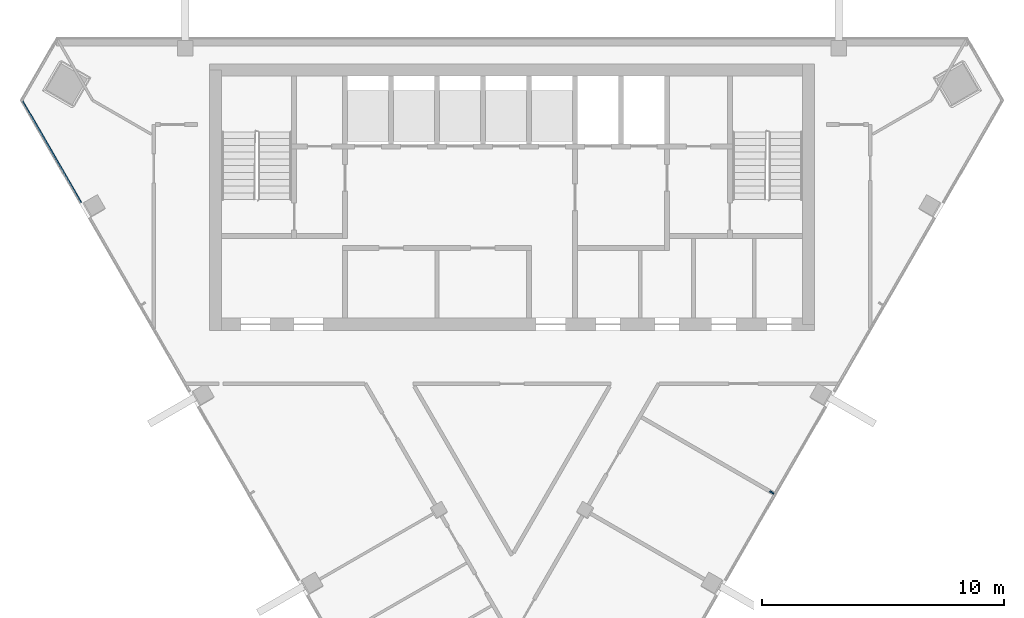
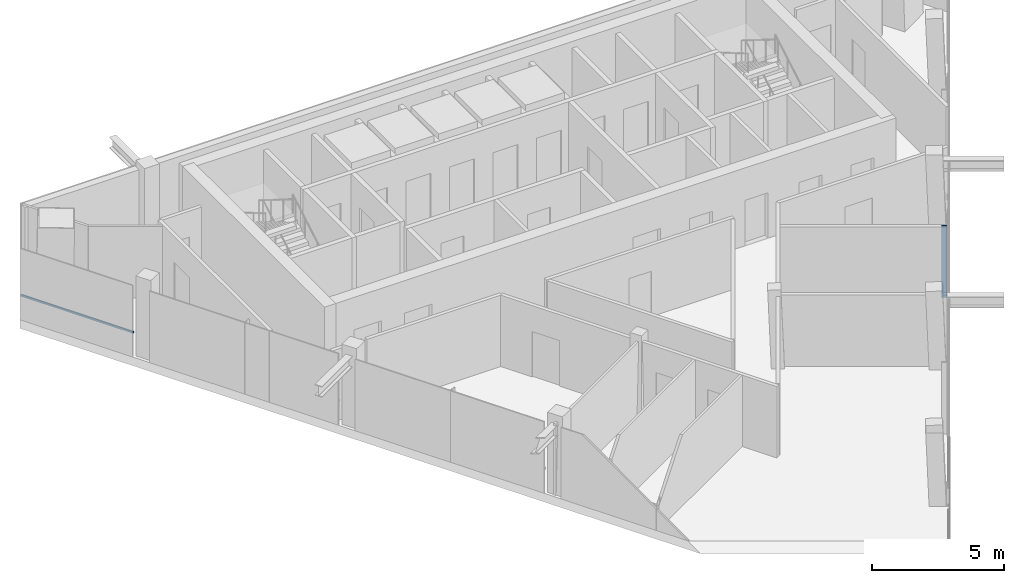
# One storey, part 3 of 9: 2 members, 2 elements without a shape of their own.
"""IFC4 building model written with IfcOpenShell, lengths in metres."""

from ifc_helpers import new_model, si_unit, direction, frame, origin, origin_2d, place, context, subcontext, project, spatial, rectangle, extrude, material, layer, layer_set, material_profile, profile_set, type_object, element, aggregate, save


model = new_model("IFC4")

# Units and contexts
model_context = context("Model", 3, precision=1e-05, world=origin(), true_north=direction((0.0, 1.0)))
body_context = subcontext(model_context, "Body", "Model", "MODEL_VIEW")
ifc_project = project(units=[si_unit("LENGTHUNIT", "METRE"), si_unit("AREAUNIT", "SQUARE_METRE"), si_unit("VOLUMEUNIT", "CUBIC_METRE"), si_unit("PLANEANGLEUNIT", "RADIAN"), si_unit("MASSUNIT", "GRAM", prefix="KILO")], contexts=[model_context])

# Site, building, storey
site_placement = place(None, origin())
site = spatial("IfcSite", under=ifc_project, at=site_placement, CompositionType="ELEMENT")
building_placement = place(site_placement, origin())
building = spatial("IfcBuilding", under=site, at=building_placement, Name="Altiplano Prism Tower", CompositionType="ELEMENT")
storey_placement = place(building_placement, frame((0.0, 0.0, 354.39990234375)))
storey = spatial("IfcBuildingStorey", under=building, at=storey_placement, Name="L92", CompositionType="ELEMENT", Elevation=354.39990234375)

# Curtain wall, member
ifc_material_1 = material(Name="Aluminium and glass", Category="aluminium")
ifc_layer = layer(ifc_material_1, 0.303955078125)
ifc_layer_set = layer_set([ifc_layer], Name="Aluminium and glass")
curtain_wall_type = type_object("IfcCurtainWallType", Name="CW2 lounge-band unitised glazing", PredefinedType="NOTDEFINED", material=ifc_layer_set)
curtain_wall_1_placement = place(storey_placement, origin())
curtain_wall_1 = element("IfcCurtainWall", 1, at=curtain_wall_1_placement, inside=storey, type_object=curtain_wall_type, Name="CW2 curtain wall south-east face L92", PredefinedType="NOTDEFINED")
ifc_material_2 = material(Name="Aluminium", Category="aluminium")
ifc_material_profile_1 = material_profile(ifc_material_2, rectangle(XDim=0.199951171875, YDim=0.06005859375, at=origin_2d()), Name="CW2 mullion 60 x 200")
ifc_profile_set_1 = profile_set([ifc_material_profile_1], Name="Aluminium")
member_type_1 = type_object("IfcMemberType", Name="CW2 mullion 60 x 200", PredefinedType="MULLION", material=ifc_profile_set_1)
member_1_placement = place(storey_placement, frame((95.7353515625, 86.201904296875, 0.0), z_axis=(0.0, 0.0, 1.0), x_axis=(-0.86602540861, 0.499999991641, 0.0)))
member_1 = element("IfcMember", 2, at=member_1_placement, type_object=member_type_1, Name="CW2 mullion", PredefinedType="MULLION", context=body_context, shape_type="SweptSolid", body=[
    extrude(rectangle(XDim=0.199951171875, YDim=0.06005859375, at=origin_2d()), origin(), (0.0, 0.0, 1.0), 3.300048828125),
])
aggregate(curtain_wall_1, [member_1])

curtain_wall_2_placement = place(storey_placement, origin())
curtain_wall_2 = element("IfcCurtainWall", 3, at=curtain_wall_2_placement, inside=storey, type_object=curtain_wall_type, Name="CW2 curtain wall south-west face L92", PredefinedType="NOTDEFINED")
ifc_material_profile_2 = material_profile(ifc_material_2, rectangle(XDim=0.06005859375, YDim=0.080078125, at=origin_2d()), Name="CW2 transom 80 x 60")
ifc_profile_set_2 = profile_set([ifc_material_profile_2], Name="Aluminium")
member_type_2 = type_object("IfcMemberType", Name="CW2 transom 80 x 60", PredefinedType="USERDEFINED", material=ifc_profile_set_2)
member_2_placement = place(storey_placement, frame((64.740234375, 102.43896484375, 1.10009765625), z_axis=(0.500008851346, -0.866020293397, 0.0), x_axis=(0.866020293397, 0.500008851346, 0.0)))
member_2 = element("IfcMember", 4, at=member_2_placement, type_object=member_type_2, Name="CW2 transom", ObjectType="TRANSOM", PredefinedType="USERDEFINED", context=body_context, shape_type="SweptSolid", body=[
    extrude(rectangle(XDim=0.06005859375, YDim=0.080078125, at=origin_2d()), origin(), (0.0, 0.0, 1.0), 4.91943359375),
])
aggregate(curtain_wall_2, [member_2])

save(model, "model.ifc")
